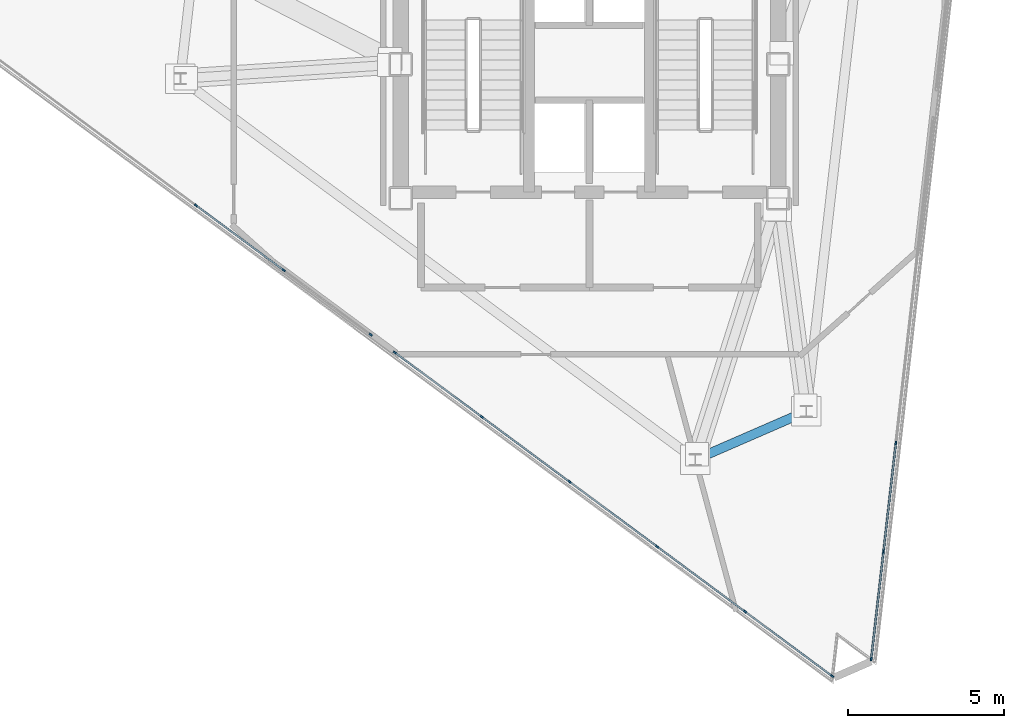
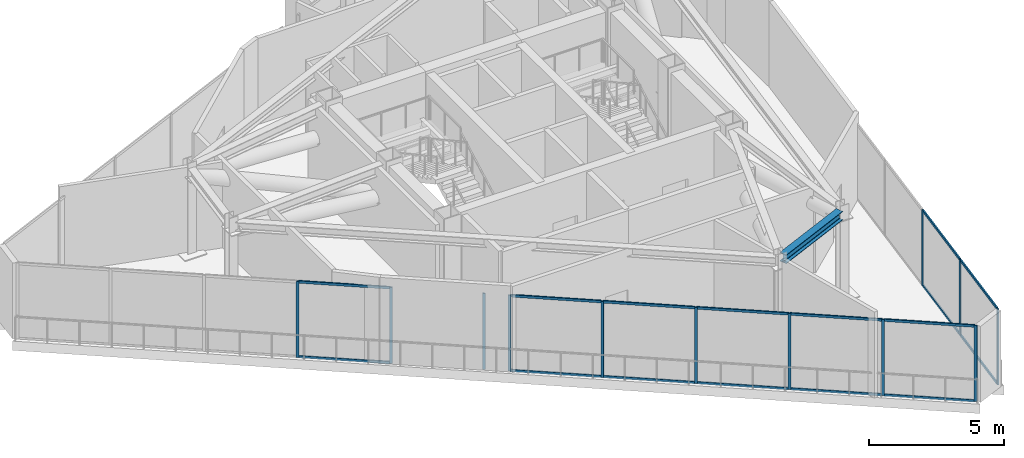
# One storey, part 2 of 11: 28 members, 1 beam, 3 elements without a shape of their own.
"""IFC4 building model written with IfcOpenShell, lengths in metres."""

from ifc_helpers import new_model, si_unit, direction, frame, origin, origin_2d, place, context, subcontext, project, spatial, rectangle, i_section, extrude, material, layer, layer_set, material_profile, profile_set, type_object, element, aggregate, save


model = new_model("IFC4")

# Units and contexts
model_context = context("Model", 3, precision=1e-05, world=origin(), true_north=direction((0.0, 1.0)))
body_context = subcontext(model_context, "Body", "Model", "MODEL_VIEW")
ifc_project = project(units=[si_unit("LENGTHUNIT", "METRE"), si_unit("AREAUNIT", "SQUARE_METRE"), si_unit("VOLUMEUNIT", "CUBIC_METRE"), si_unit("PLANEANGLEUNIT", "RADIAN"), si_unit("MASSUNIT", "GRAM", prefix="KILO")], contexts=[model_context])

# Site, building, storey
site_placement = place(None, origin())
site = spatial("IfcSite", under=ifc_project, at=site_placement, CompositionType="ELEMENT")
building_placement = place(site_placement, origin())
building = spatial("IfcBuilding", under=site, at=building_placement, Name="Rocaltana Carrier Exchange", CompositionType="ELEMENT")
storey_placement = place(building_placement, frame((0.0, 0.0, 239.199951171875)))
storey = spatial("IfcBuildingStorey", under=building, at=storey_placement, Name="L76", CompositionType="ELEMENT", Elevation=239.199951171875)

# Curtain wall, members
ifc_material_1 = material(Name="Aluminium 6063-T6", Category="aluminium")
ifc_layer = layer(ifc_material_1, 0.110107421875)
ifc_layer_set = layer_set([ifc_layer], Name="Aluminium 6063-T6")
curtain_wall_type = type_object("IfcCurtainWallType", Name="Crown Lantern Faceted Curtain Wall CW-06", PredefinedType="NOTDEFINED", material=ifc_layer_set)
curtain_wall_1_placement = place(storey_placement, origin())
curtain_wall_1 = element("IfcCurtainWall", 1, at=curtain_wall_1_placement, inside=storey, type_object=curtain_wall_type, Name="L76 CW-06 Run CW06-L76-F1S1", PredefinedType="NOTDEFINED")
ifc_material_2 = material(Name="Aluminium 6063-T6", Category="aluminium")
ifc_material_profile_1 = material_profile(ifc_material_2, rectangle(XDim=0.054931640625, YDim=0.110107421875, at=origin_2d()), Name="AL-55X110")
ifc_profile_set_1 = profile_set([ifc_material_profile_1], Name="Aluminium 6063-T6")
member_type_1 = type_object("IfcMemberType", Name="CW-06 Mullion AL-55X110", PredefinedType="MULLION", material=ifc_profile_set_1)
member_1_placement = place(storey_placement, frame((9.03564453125, -19.06787109375, 0.0), z_axis=(0.0, 0.0, 1.0), x_axis=(-0.993572284893, 0.113199446517, 0.0)))
member_1 = element("IfcMember", 2, at=member_1_placement, type_object=member_type_1, Name="CW-06 mullion 1", PredefinedType="MULLION", context=body_context, shape_type="SweptSolid", body=[
    extrude(rectangle(XDim=0.054931640625, YDim=0.110107421875, at=origin_2d()), origin(), (0.0, 0.0, 1.0), 3.447998046875),
])
member_2_placement = place(storey_placement, frame((9.4287109375, -15.61767578125, 0.0), z_axis=(0.0, 0.0, 1.0), x_axis=(-0.993572284893, 0.113199446517, 0.0)))
member_2 = element("IfcMember", 3, at=member_2_placement, type_object=member_type_1, Name="CW-06 mullion 2", PredefinedType="MULLION", context=body_context, shape_type="SweptSolid", body=[
    extrude(rectangle(XDim=0.054931640625, YDim=0.110107421875, at=origin_2d()), origin(), (0.0, 0.0, 1.0), 3.447998046875),
])
member_3_placement = place(storey_placement, frame((9.824951171875, -12.140380859375, 0.0), z_axis=(0.0, 0.0, 1.0), x_axis=(-0.993572284893, 0.113199446517, 0.0)))
member_3 = element("IfcMember", 4, at=member_3_placement, type_object=member_type_1, Name="CW-06 mullion 3", PredefinedType="MULLION", context=body_context, shape_type="SweptSolid", body=[
    extrude(rectangle(XDim=0.054931640625, YDim=0.110107421875, at=origin_2d()), origin(), (0.0, 0.0, 1.0), 3.447998046875),
])

curtain_wall_2_placement = place(storey_placement, origin())
curtain_wall_2 = element("IfcCurtainWall", 5, at=curtain_wall_2_placement, inside=storey, type_object=curtain_wall_type, Name="L76 CW-06 Run CW06-L76-F3S1", PredefinedType="NOTDEFINED")
member_4_placement = place(storey_placement, frame((-12.61279296875, -4.520263671875, 0.0), z_axis=(0.0, 0.0, 1.0), x_axis=(0.594822697282, 0.803856926821, 0.0)))
member_4 = element("IfcMember", 6, at=member_4_placement, type_object=member_type_1, Name="CW-06 mullion 4", PredefinedType="MULLION", context=body_context, shape_type="SweptSolid", body=[
    extrude(rectangle(XDim=0.054931640625, YDim=0.110107421875, at=origin_2d()), origin(), (0.0, 0.0, 1.0), 3.447998046875),
])
member_5_placement = place(storey_placement, frame((-9.79931640625, -6.602294921875, 0.0), z_axis=(0.0, 0.0, 1.0), x_axis=(0.594822697282, 0.803856926821, 0.0)))
member_5 = element("IfcMember", 7, at=member_5_placement, type_object=member_type_1, Name="CW-06 mullion 5", PredefinedType="MULLION", context=body_context, shape_type="SweptSolid", body=[
    extrude(rectangle(XDim=0.054931640625, YDim=0.110107421875, at=origin_2d()), origin(), (0.0, 0.0, 1.0), 3.447998046875),
])
member_6_placement = place(storey_placement, frame((-7.0078125, -8.667724609375, 0.0), z_axis=(0.0, 0.0, 1.0), x_axis=(0.594822697282, 0.803856926821, 0.0)))
member_6 = element("IfcMember", 8, at=member_6_placement, type_object=member_type_1, Name="CW-06 mullion 6", PredefinedType="MULLION", context=body_context, shape_type="SweptSolid", body=[
    extrude(rectangle(XDim=0.054931640625, YDim=0.110107421875, at=origin_2d()), origin(), (0.0, 0.0, 1.0), 3.447998046875),
])

curtain_wall_3_placement = place(storey_placement, origin())
curtain_wall_3 = element("IfcCurtainWall", 9, at=curtain_wall_3_placement, inside=storey, type_object=curtain_wall_type, Name="L76 CW-06 Run CW06-L76-F3S2", PredefinedType="NOTDEFINED")
member_7_placement = place(storey_placement, frame((-6.239990234375, -9.23583984375, 0.0), z_axis=(0.0, 0.0, 1.0), x_axis=(0.594825429598, 0.803854905007, 0.0)))
member_7 = element("IfcMember", 10, at=member_7_placement, type_object=member_type_1, Name="CW-06 mullion 1", PredefinedType="MULLION", context=body_context, shape_type="SweptSolid", body=[
    extrude(rectangle(XDim=0.054931640625, YDim=0.110107421875, at=origin_2d()), origin(), (0.0, 0.0, 1.0), 3.447998046875),
])
member_8_placement = place(storey_placement, frame((-3.44873046875, -11.30126953125, 0.0), z_axis=(0.0, 0.0, 1.0), x_axis=(0.594825429598, 0.803854905007, 0.0)))
member_8 = element("IfcMember", 11, at=member_8_placement, type_object=member_type_1, Name="CW-06 mullion 2", PredefinedType="MULLION", context=body_context, shape_type="SweptSolid", body=[
    extrude(rectangle(XDim=0.054931640625, YDim=0.110107421875, at=origin_2d()), origin(), (0.0, 0.0, 1.0), 3.447998046875),
])
member_9_placement = place(storey_placement, frame((-0.63525390625, -13.38330078125, 0.0), z_axis=(0.0, 0.0, 1.0), x_axis=(0.594825429598, 0.803854905007, 0.0)))
member_9 = element("IfcMember", 12, at=member_9_placement, type_object=member_type_1, Name="CW-06 mullion 3", PredefinedType="MULLION", context=body_context, shape_type="SweptSolid", body=[
    extrude(rectangle(XDim=0.054931640625, YDim=0.110107421875, at=origin_2d()), origin(), (0.0, 0.0, 1.0), 3.447998046875),
])
member_10_placement = place(storey_placement, frame((2.17822265625, -15.465087890625, 0.0), z_axis=(0.0, 0.0, 1.0), x_axis=(0.594825429598, 0.803854905007, 0.0)))
member_10 = element("IfcMember", 13, at=member_10_placement, type_object=member_type_1, Name="CW-06 mullion 4", PredefinedType="MULLION", context=body_context, shape_type="SweptSolid", body=[
    extrude(rectangle(XDim=0.054931640625, YDim=0.110107421875, at=origin_2d()), origin(), (0.0, 0.0, 1.0), 3.447998046875),
])
member_11_placement = place(storey_placement, frame((4.99169921875, -17.547119140625, 0.0), z_axis=(0.0, 0.0, 1.0), x_axis=(0.594825429598, 0.803854905007, 0.0)))
member_11 = element("IfcMember", 14, at=member_11_placement, type_object=member_type_1, Name="CW-06 mullion 5", PredefinedType="MULLION", context=body_context, shape_type="SweptSolid", body=[
    extrude(rectangle(XDim=0.054931640625, YDim=0.110107421875, at=origin_2d()), origin(), (0.0, 0.0, 1.0), 3.447998046875),
])
member_12_placement = place(storey_placement, frame((7.783203125, -19.612548828125, 0.0), z_axis=(0.0, 0.0, 1.0), x_axis=(0.594825429598, 0.803854905007, 0.0)))
member_12 = element("IfcMember", 15, at=member_12_placement, type_object=member_type_1, Name="CW-06 mullion 6", PredefinedType="MULLION", context=body_context, shape_type="SweptSolid", body=[
    extrude(rectangle(XDim=0.054931640625, YDim=0.110107421875, at=origin_2d()), origin(), (0.0, 0.0, 1.0), 3.447998046875),
])

# Member
ifc_material_3 = material(Name="Aluminium 6063-T6", Category="aluminium")
ifc_material_profile_2 = material_profile(ifc_material_3, rectangle(XDim=0.054931640625, YDim=0.110107421875, at=origin_2d()), Name="AL-55X110")
ifc_profile_set_2 = profile_set([ifc_material_profile_2], Name="Aluminium 6063-T6")
member_type_2 = type_object("IfcMemberType", Name="CW-06 Transom AL-55X110", PredefinedType="USERDEFINED", material=ifc_profile_set_2)
member_13_placement = place(storey_placement, frame((9.038818359375, -19.040771484375, 0.027587890625), z_axis=(0.113151708435, 0.993577722616, 0.0), x_axis=(-0.993577722616, 0.113151708435, 0.0)))
member_13 = element("IfcMember", 16, at=member_13_placement, type_object=member_type_2, Name="CW-06 transom 1.1", ObjectType="TRANSOM", PredefinedType="USERDEFINED", context=body_context, shape_type="SweptSolid", body=[
    extrude(rectangle(XDim=0.054931640625, YDim=0.110107421875, at=origin_2d()), origin(), (0.0, 0.0, 1.0), 3.417724609375),
])

member_14_placement = place(storey_placement, frame((9.038818359375, -19.040771484375, 3.420654296875), z_axis=(0.113151708435, 0.993577722616, 0.0), x_axis=(-0.993577722616, 0.113151708435, 0.0)))
member_14 = element("IfcMember", 17, at=member_14_placement, type_object=member_type_2, Name="CW-06 transom 1.2", ObjectType="TRANSOM", PredefinedType="USERDEFINED", context=body_context, shape_type="SweptSolid", body=[
    extrude(rectangle(XDim=0.054931640625, YDim=0.110107421875, at=origin_2d()), origin(), (0.0, 0.0, 1.0), 3.417724609375),
])

member_15_placement = place(storey_placement, frame((9.431884765625, -15.590576171875, 0.027587890625), z_axis=(0.11316885418, 0.993575769855, 0.0), x_axis=(-0.993575769855, 0.11316885418, 0.0)))
member_15 = element("IfcMember", 18, at=member_15_placement, type_object=member_type_2, Name="CW-06 transom 2.1", ObjectType="TRANSOM", PredefinedType="USERDEFINED", context=body_context, shape_type="SweptSolid", body=[
    extrude(rectangle(XDim=0.054931640625, YDim=0.110107421875, at=origin_2d()), origin(), (0.0, 0.0, 1.0), 3.4453125),
])

member_16_placement = place(storey_placement, frame((9.431884765625, -15.590576171875, 3.420654296875), z_axis=(0.11316885418, 0.993575769855, 0.0), x_axis=(-0.993575769855, 0.11316885418, 0.0)))
member_16 = element("IfcMember", 19, at=member_16_placement, type_object=member_type_2, Name="CW-06 transom 2.2", ObjectType="TRANSOM", PredefinedType="USERDEFINED", context=body_context, shape_type="SweptSolid", body=[
    extrude(rectangle(XDim=0.054931640625, YDim=0.110107421875, at=origin_2d()), origin(), (0.0, 0.0, 1.0), 3.4453125),
])

aggregate(curtain_wall_1, [member_1, member_2, member_3, member_13, member_14, member_15, member_16])

member_17_placement = place(storey_placement, frame((-12.590576171875, -4.53662109375, 0.027587890625), z_axis=(0.803835799792, -0.59485124777, 0.0), x_axis=(0.59485124777, 0.803835799792, 0.0)))
member_17 = element("IfcMember", 20, at=member_17_placement, type_object=member_type_2, Name="CW-06 transom 4.1", ObjectType="TRANSOM", PredefinedType="USERDEFINED", context=body_context, shape_type="SweptSolid", body=[
    extrude(rectangle(XDim=0.054931640625, YDim=0.110107421875, at=origin_2d()), origin(), (0.0, 0.0, 1.0), 3.445068359375),
])

member_18_placement = place(storey_placement, frame((-12.590576171875, -4.53662109375, 3.420654296875), z_axis=(0.803835799792, -0.59485124777, 0.0), x_axis=(0.59485124777, 0.803835799792, 0.0)))
member_18 = element("IfcMember", 21, at=member_18_placement, type_object=member_type_2, Name="CW-06 transom 4.2", ObjectType="TRANSOM", PredefinedType="USERDEFINED", context=body_context, shape_type="SweptSolid", body=[
    extrude(rectangle(XDim=0.054931640625, YDim=0.110107421875, at=origin_2d()), origin(), (0.0, 0.0, 1.0), 3.445068359375),
])

aggregate(curtain_wall_2, [member_4, member_5, member_6, member_17, member_18])

member_19_placement = place(storey_placement, frame((-6.218017578125, -9.252197265625, 0.027587890625), z_axis=(0.803858295883, -0.594820847096, 0.0), x_axis=(0.594820847096, 0.803858295883, 0.0)))
member_19 = element("IfcMember", 22, at=member_19_placement, type_object=member_type_2, Name="CW-06 transom 1.1", ObjectType="TRANSOM", PredefinedType="USERDEFINED", context=body_context, shape_type="SweptSolid", body=[
    extrude(rectangle(XDim=0.054931640625, YDim=0.110107421875, at=origin_2d()), origin(), (0.0, 0.0, 1.0), 3.417236328125),
])

member_20_placement = place(storey_placement, frame((-6.218017578125, -9.252197265625, 3.420654296875), z_axis=(0.803858295883, -0.594820847096, 0.0), x_axis=(0.594820847096, 0.803858295883, 0.0)))
member_20 = element("IfcMember", 23, at=member_20_placement, type_object=member_type_2, Name="CW-06 transom 1.2", ObjectType="TRANSOM", PredefinedType="USERDEFINED", context=body_context, shape_type="SweptSolid", body=[
    extrude(rectangle(XDim=0.054931640625, YDim=0.110107421875, at=origin_2d()), origin(), (0.0, 0.0, 1.0), 3.417236328125),
])

member_21_placement = place(storey_placement, frame((-3.426513671875, -11.317626953125, 0.027587890625), z_axis=(0.803835799792, -0.59485124777, 0.0), x_axis=(0.59485124777, 0.803835799792, 0.0)))
member_21 = element("IfcMember", 24, at=member_21_placement, type_object=member_type_2, Name="CW-06 transom 2.1", ObjectType="TRANSOM", PredefinedType="USERDEFINED", context=body_context, shape_type="SweptSolid", body=[
    extrude(rectangle(XDim=0.054931640625, YDim=0.110107421875, at=origin_2d()), origin(), (0.0, 0.0, 1.0), 3.445068359375),
])

member_22_placement = place(storey_placement, frame((-3.426513671875, -11.317626953125, 3.420654296875), z_axis=(0.803835799792, -0.59485124777, 0.0), x_axis=(0.59485124777, 0.803835799792, 0.0)))
member_22 = element("IfcMember", 25, at=member_22_placement, type_object=member_type_2, Name="CW-06 transom 2.2", ObjectType="TRANSOM", PredefinedType="USERDEFINED", context=body_context, shape_type="SweptSolid", body=[
    extrude(rectangle(XDim=0.054931640625, YDim=0.110107421875, at=origin_2d()), origin(), (0.0, 0.0, 1.0), 3.445068359375),
])

member_23_placement = place(storey_placement, frame((-0.613037109375, -13.399658203125, 0.027587890625), z_axis=(0.803869685512, -0.59480545451, 0.0), x_axis=(0.59480545451, 0.803869685512, 0.0)))
member_23 = element("IfcMember", 26, at=member_23_placement, type_object=member_type_2, Name="CW-06 transom 3.1", ObjectType="TRANSOM", PredefinedType="USERDEFINED", context=body_context, shape_type="SweptSolid", body=[
    extrude(rectangle(XDim=0.054931640625, YDim=0.110107421875, at=origin_2d()), origin(), (0.0, 0.0, 1.0), 3.44482421875),
])

member_24_placement = place(storey_placement, frame((-0.613037109375, -13.399658203125, 3.420654296875), z_axis=(0.803869685512, -0.59480545451, 0.0), x_axis=(0.59480545451, 0.803869685512, 0.0)))
member_24 = element("IfcMember", 27, at=member_24_placement, type_object=member_type_2, Name="CW-06 transom 3.2", ObjectType="TRANSOM", PredefinedType="USERDEFINED", context=body_context, shape_type="SweptSolid", body=[
    extrude(rectangle(XDim=0.054931640625, YDim=0.110107421875, at=origin_2d()), origin(), (0.0, 0.0, 1.0), 3.44482421875),
])

member_25_placement = place(storey_placement, frame((2.200439453125, -15.4814453125, 0.027587890625), z_axis=(0.803835799792, -0.59485124777, 0.0), x_axis=(0.59485124777, 0.803835799792, 0.0)))
member_25 = element("IfcMember", 28, at=member_25_placement, type_object=member_type_2, Name="CW-06 transom 4.1", ObjectType="TRANSOM", PredefinedType="USERDEFINED", context=body_context, shape_type="SweptSolid", body=[
    extrude(rectangle(XDim=0.054931640625, YDim=0.110107421875, at=origin_2d()), origin(), (0.0, 0.0, 1.0), 3.445068359375),
])

member_26_placement = place(storey_placement, frame((2.200439453125, -15.4814453125, 3.420654296875), z_axis=(0.803835799792, -0.59485124777, 0.0), x_axis=(0.59485124777, 0.803835799792, 0.0)))
member_26 = element("IfcMember", 29, at=member_26_placement, type_object=member_type_2, Name="CW-06 transom 4.2", ObjectType="TRANSOM", PredefinedType="USERDEFINED", context=body_context, shape_type="SweptSolid", body=[
    extrude(rectangle(XDim=0.054931640625, YDim=0.110107421875, at=origin_2d()), origin(), (0.0, 0.0, 1.0), 3.445068359375),
])

member_27_placement = place(storey_placement, frame((5.013916015625, -17.5634765625, 0.027587890625), z_axis=(0.803858295883, -0.594820847096, 0.0), x_axis=(0.594820847096, 0.803858295883, 0.0)))
member_27 = element("IfcMember", 30, at=member_27_placement, type_object=member_type_2, Name="CW-06 transom 5.1", ObjectType="TRANSOM", PredefinedType="USERDEFINED", context=body_context, shape_type="SweptSolid", body=[
    extrude(rectangle(XDim=0.054931640625, YDim=0.110107421875, at=origin_2d()), origin(), (0.0, 0.0, 1.0), 3.417236328125),
])

member_28_placement = place(storey_placement, frame((5.013916015625, -17.5634765625, 3.420654296875), z_axis=(0.803858295883, -0.594820847096, 0.0), x_axis=(0.594820847096, 0.803858295883, 0.0)))
member_28 = element("IfcMember", 31, at=member_28_placement, type_object=member_type_2, Name="CW-06 transom 5.2", ObjectType="TRANSOM", PredefinedType="USERDEFINED", context=body_context, shape_type="SweptSolid", body=[
    extrude(rectangle(XDim=0.054931640625, YDim=0.110107421875, at=origin_2d()), origin(), (0.0, 0.0, 1.0), 3.417236328125),
])

aggregate(curtain_wall_3, [member_7, member_8, member_9, member_10, member_11, member_12, member_19, member_20, member_21, member_22, member_23, member_24, member_25, member_26, member_27, member_28])

# Beam
ifc_material_4 = material(Name="Steel S460", Category="steel")
ifc_material_profile_3 = material_profile(ifc_material_4, i_section(OverallWidth=0.300048828125, OverallDepth=0.39990234375, WebThickness=0.013427734375, FlangeThickness=0.02392578125, FilletRadius=0.027099609375, at=origin_2d()), Name="HEB400")
ifc_profile_set_3 = profile_set([ifc_material_profile_3], Name="Steel S460")
beam_type = type_object("IfcBeamType", Name="Crown Ring Beam HEB400", PredefinedType="BEAM", material=ifc_profile_set_3)
beam_placement = place(storey_placement, frame((3.55517578125, -12.60400390625, 3.72802734375), z_axis=(0.917068957049, 0.398728639574, 0.0), x_axis=(-0.398728639574, 0.917068957049, 0.0)))
element("IfcBeam", 32, at=beam_placement, inside=storey, type_object=beam_type, Name="CRG-RING-L76-06", PredefinedType="BEAM", context=body_context, shape_type="SweptSolid", body=[
    extrude(i_section(OverallWidth=0.300048828125, OverallDepth=0.39990234375, WebThickness=0.013427734375, FlangeThickness=0.02392578125, FilletRadius=0.027099609375, at=origin_2d()), origin(), (0.0, 0.0, 1.0), 3.531005859375),
])

save(model, "model.ifc")
